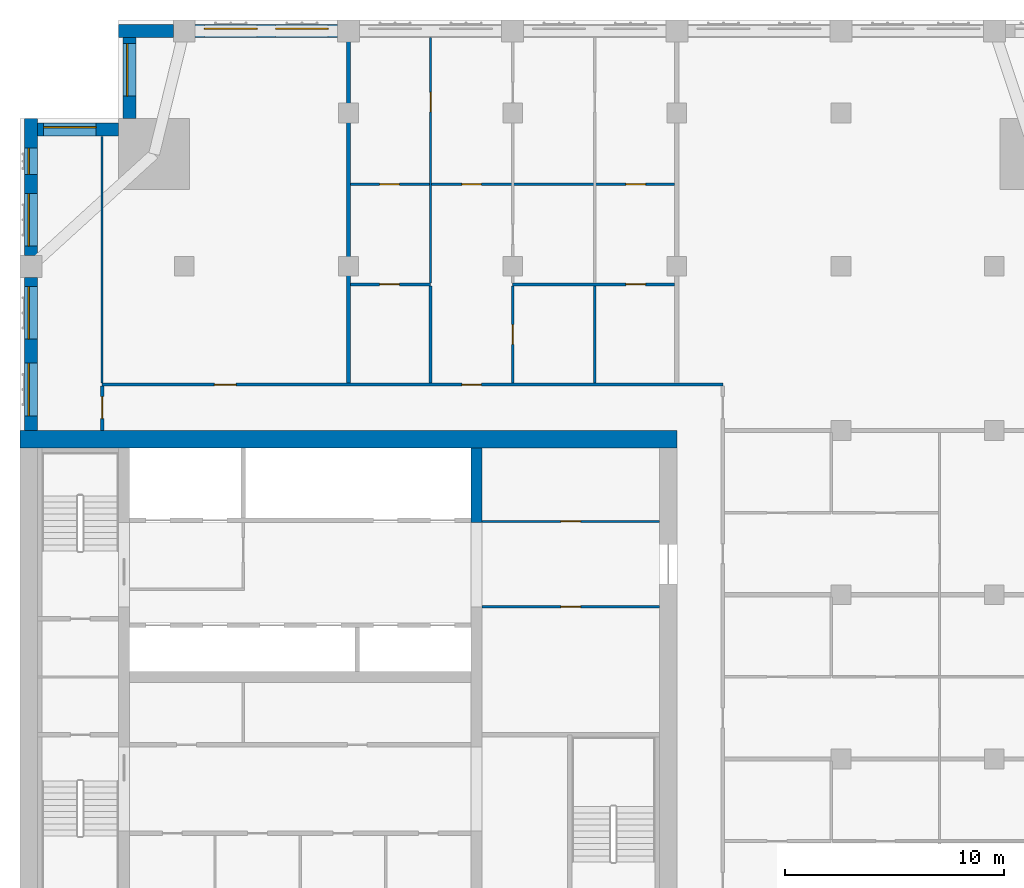
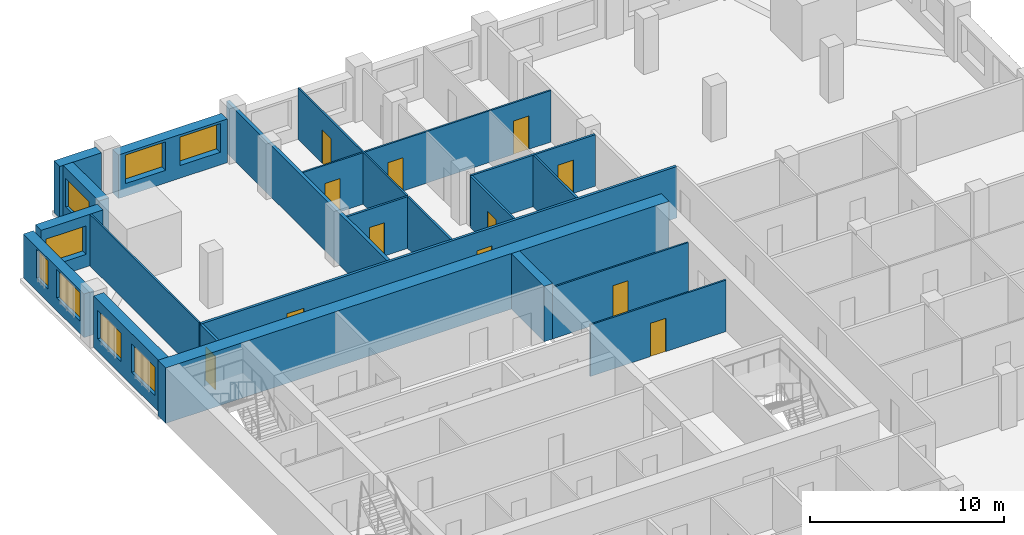
# One storey, part 10 of 14: 21 walls, 12 doors, 8 windows, 20 openings.
"""IFC4 building model written with IfcOpenShell, lengths in metres."""

from ifc_helpers import new_model, si_unit, direction, frame, frame_2d, origin, place, context, subcontext, project, spatial, rectangle, extrude, material, layer, layer_set, type_object, element, fill, save


model = new_model("IFC4")

# Units and contexts
model_context = context("Model", 3, precision=1e-05, world=origin(), true_north=direction((0.0, 1.0)))
body_context = subcontext(model_context, "Body", "Model", "MODEL_VIEW")
ifc_project = project(units=[si_unit("LENGTHUNIT", "METRE"), si_unit("AREAUNIT", "SQUARE_METRE"), si_unit("VOLUMEUNIT", "CUBIC_METRE"), si_unit("PLANEANGLEUNIT", "RADIAN"), si_unit("MASSUNIT", "GRAM", prefix="KILO")], contexts=[model_context])

# Site, building, storey
site_placement = place(None, origin())
site = spatial("IfcSite", under=ifc_project, at=site_placement, CompositionType="ELEMENT")
building_placement = place(site_placement, origin())
building = spatial("IfcBuilding", under=site, at=building_placement, Name="Tamorin Gate", CompositionType="ELEMENT")
storey_placement = place(building_placement, frame((0.0, 0.0, 200.199951171875)))
storey = spatial("IfcBuildingStorey", under=building, at=storey_placement, Name="L49", CompositionType="ELEMENT", Elevation=200.199951171875)

# Wall, openings, windows
ifc_material_1 = material(Name="Precast concrete C40/50", Category="concrete")
ifc_layer_1 = layer(ifc_material_1, 0.60009765625)
ifc_layer_set_1 = layer_set([ifc_layer_1], Name="Precast concrete C40/50")
wall_type_1 = type_object("IfcWallType", Name="Board-marked concrete facade panel 600", PredefinedType="SOLIDWALL", material=ifc_layer_set_1)
wall_1_placement = place(storey_placement, frame((44.5, 100.75, 0.0), z_axis=(0.0, 0.0, 1.0), x_axis=(-1.0, 0.0, 0.0)))
wall_1 = element("IfcWall", 1, at=wall_1_placement, inside=storey, type_object=wall_type_1, Name="Facade panel", PredefinedType="SOLIDWALL", context=body_context, shape_type="SweptSolid", body=[
    extrude(rectangle(XDim=6.5, YDim=0.60009765625, at=frame_2d((3.25, 0.0))), origin(), (0.0, 0.0, 1.0), 2.75),
])
opening_1_placement = place(wall_1_placement, frame((3.675048828125, 0.0, 0.800048828125)))
opening_1 = element("IfcOpeningElement", 2, at=opening_1_placement, cuts=wall_1, Name="Opening WN1", PredefinedType="OPENING", context=body_context, shape_type="SweptSolid", body=[
    extrude(rectangle(XDim=2.39990234375, YDim=1.800048828125, at=frame_2d((1.199951171875, 0.89990234375))), frame((0.0, 0.31005859375, 0.0), z_axis=(0.0, -1.0, 0.0), x_axis=(1.0, 0.0, 0.0)), (0.0, 0.0, 1.0), 0.6201171875),
])
opening_2_placement = place(wall_1_placement, frame((0.425048828125, 0.0, 0.800048828125)))
opening_2 = element("IfcOpeningElement", 3, at=opening_2_placement, cuts=wall_1, Name="Opening WN1", PredefinedType="OPENING", context=body_context, shape_type="SweptSolid", body=[
    extrude(rectangle(XDim=2.39990234375, YDim=1.800048828125, at=frame_2d((1.199951171875, 0.89990234375))), frame((0.0, 0.31005859375, 0.0), z_axis=(0.0, -1.0, 0.0), x_axis=(1.0, 0.0, 0.0)), (0.0, 0.0, 1.0), 0.6201171875),
])
ifc_material_2 = material(Name="Clear glass in aluminium frame", Category="aluminium")
window_type_1 = type_object("IfcWindowType", Name="Deep-set window 2400x1800", PartitioningType="SINGLE_PANEL", PredefinedType="WINDOW", material=ifc_material_2)
window_1_placement = place(opening_1_placement, origin())
window_1 = element("IfcWindow", 4, at=window_1_placement, inside=storey, type_object=window_type_1, Name="Deep-set window", OverallHeight=1.800048828125, OverallWidth=2.39990234375, PartitioningType="SINGLE_PANEL", PredefinedType="WINDOW", context=body_context, shape_type="SweptSolid", body=[
    extrude(rectangle(XDim=2.39990234375, YDim=1.800048828125, at=frame_2d((1.199951171875, 0.89990234375))), frame((0.0, -0.070068359375, 0.0), z_axis=(0.0, -1.0, 0.0), x_axis=(1.0, 0.0, 0.0)), (0.0, 0.0, 1.0), 0.06005859375),
])
fill(opening_1, window_1)
window_2_placement = place(opening_2_placement, origin())
window_2 = element("IfcWindow", 5, at=window_2_placement, inside=storey, type_object=window_type_1, Name="Deep-set window", OverallHeight=1.800048828125, OverallWidth=2.39990234375, PartitioningType="SINGLE_PANEL", PredefinedType="WINDOW", context=body_context, shape_type="SweptSolid", body=[
    extrude(rectangle(XDim=2.39990234375, YDim=1.800048828125, at=frame_2d((1.199951171875, 0.89990234375))), frame((0.0, -0.070068359375, 0.0), z_axis=(0.0, -1.0, 0.0), x_axis=(1.0, 0.0, 0.0)), (0.0, 0.0, 1.0), 0.06005859375),
])
fill(opening_2, window_2)

# Wall
wall_2_placement = place(storey_placement, frame((37.0, 100.75, 0.0), z_axis=(0.0, 0.0, 1.0), x_axis=(-1.0, 0.0, 0.0)))
element("IfcWall", 6, at=wall_2_placement, inside=storey, type_object=wall_type_1, Name="Facade panel", PredefinedType="SOLIDWALL", context=body_context, shape_type="SweptSolid", body=[
    extrude(rectangle(XDim=2.5, YDim=0.60009765625, at=frame_2d((1.25, 0.0))), origin(), (0.0, 0.0, 1.0), 3.25),
])

# Wall, opening, window
wall_3_placement = place(storey_placement, frame((35.0, 100.449951171875, 0.0), z_axis=(0.0, 0.0, 1.0), x_axis=(0.0, -1.0, 0.0)))
wall_3 = element("IfcWall", 7, at=wall_3_placement, inside=storey, type_object=wall_type_1, Name="Facade panel", PredefinedType="SOLIDWALL", context=body_context, shape_type="SweptSolid", body=[
    extrude(rectangle(XDim=3.699951171875, YDim=0.60009765625, at=frame_2d((1.85009765625, 0.0))), origin(), (0.0, 0.0, 1.0), 3.25),
])
opening_3_placement = place(wall_3_placement, frame((0.27490234375, 0.0, 0.800048828125)))
opening_3 = element("IfcOpeningElement", 8, at=opening_3_placement, cuts=wall_3, Name="Opening WN1", PredefinedType="OPENING", context=body_context, shape_type="SweptSolid", body=[
    extrude(rectangle(XDim=2.39990234375, YDim=1.800048828125, at=frame_2d((1.199951171875, 0.89990234375))), frame((0.0, 0.31005859375, 0.0), z_axis=(0.0, -1.0, 0.0), x_axis=(1.0, 0.0, 0.0)), (0.0, 0.0, 1.0), 0.6201171875),
])
window_3_placement = place(opening_3_placement, origin())
window_3 = element("IfcWindow", 9, at=window_3_placement, inside=storey, type_object=window_type_1, Name="Deep-set window", OverallHeight=1.800048828125, OverallWidth=2.39990234375, PartitioningType="SINGLE_PANEL", PredefinedType="WINDOW", context=body_context, shape_type="SweptSolid", body=[
    extrude(rectangle(XDim=2.39990234375, YDim=1.800048828125, at=frame_2d((1.199951171875, 0.89990234375))), frame((0.0, -0.070068359375, 0.0), z_axis=(0.0, -1.0, 0.0), x_axis=(1.0, 0.0, 0.0)), (0.0, 0.0, 1.0), 0.06005859375),
])
fill(opening_3, window_3)

wall_4_placement = place(storey_placement, frame((34.5, 96.25, 0.0), z_axis=(0.0, 0.0, 1.0), x_axis=(-1.0, 0.0, 0.0)))
wall_4 = element("IfcWall", 10, at=wall_4_placement, inside=storey, type_object=wall_type_1, Name="Facade panel", PredefinedType="SOLIDWALL", context=body_context, shape_type="SweptSolid", body=[
    extrude(rectangle(XDim=3.699951171875, YDim=0.60009765625, at=frame_2d((1.85009765625, 0.0))), origin(), (0.0, 0.0, 1.0), 3.25),
])
opening_4_placement = place(wall_4_placement, frame((1.02490234375, 0.0, 0.800048828125)))
opening_4 = element("IfcOpeningElement", 11, at=opening_4_placement, cuts=wall_4, Name="Opening WN1", PredefinedType="OPENING", context=body_context, shape_type="SweptSolid", body=[
    extrude(rectangle(XDim=2.39990234375, YDim=1.800048828125, at=frame_2d((1.199951171875, 0.89990234375))), frame((0.0, 0.31005859375, 0.0), z_axis=(0.0, -1.0, 0.0), x_axis=(1.0, 0.0, 0.0)), (0.0, 0.0, 1.0), 0.6201171875),
])
window_4_placement = place(opening_4_placement, origin())
window_4 = element("IfcWindow", 12, at=window_4_placement, inside=storey, type_object=window_type_1, Name="Deep-set window", OverallHeight=1.800048828125, OverallWidth=2.39990234375, PartitioningType="SINGLE_PANEL", PredefinedType="WINDOW", context=body_context, shape_type="SweptSolid", body=[
    extrude(rectangle(XDim=2.39990234375, YDim=1.800048828125, at=frame_2d((1.199951171875, 0.89990234375))), frame((0.0, -0.070068359375, 0.0), z_axis=(0.0, -1.0, 0.0), x_axis=(1.0, 0.0, 0.0)), (0.0, 0.0, 1.0), 0.06005859375),
])
fill(opening_4, window_4)

# Wall, openings, windows
wall_5_placement = place(storey_placement, frame((30.5, 96.75, 0.0), z_axis=(0.0, 0.0, 1.0), x_axis=(0.0, -1.0, 0.0)))
wall_5 = element("IfcWall", 13, at=wall_5_placement, inside=storey, type_object=wall_type_1, Name="Facade panel", PredefinedType="SOLIDWALL", context=body_context, shape_type="SweptSolid", body=[
    extrude(rectangle(XDim=6.25, YDim=0.60009765625, at=frame_2d((3.125, 0.0))), origin(), (0.0, 0.0, 1.0), 2.75),
])
opening_5_placement = place(wall_5_placement, frame((3.425048828125, 0.0, 0.800048828125)))
opening_5 = element("IfcOpeningElement", 14, at=opening_5_placement, cuts=wall_5, Name="Opening WN1", PredefinedType="OPENING", context=body_context, shape_type="SweptSolid", body=[
    extrude(rectangle(XDim=2.39990234375, YDim=1.800048828125, at=frame_2d((1.199951171875, 0.89990234375))), frame((0.0, 0.31005859375, 0.0), z_axis=(0.0, -1.0, 0.0), x_axis=(1.0, 0.0, 0.0)), (0.0, 0.0, 1.0), 0.6201171875),
])
opening_6_placement = place(wall_5_placement, frame((1.35009765625, 0.0, 0.800048828125)))
opening_6 = element("IfcOpeningElement", 15, at=opening_6_placement, cuts=wall_5, Name="Opening WN3", PredefinedType="OPENING", context=body_context, shape_type="SweptSolid", body=[
    extrude(rectangle(XDim=1.199951171875, YDim=1.800048828125, at=frame_2d((0.60009765625, 0.89990234375))), frame((0.0, 0.31005859375, 0.0), z_axis=(0.0, -1.0, 0.0), x_axis=(1.0, 0.0, 0.0)), (0.0, 0.0, 1.0), 0.6201171875),
])
window_type_2 = type_object("IfcWindowType", Name="Deep-set window 1200x1800", PartitioningType="SINGLE_PANEL", PredefinedType="WINDOW", material=ifc_material_2)
window_5_placement = place(opening_6_placement, origin())
window_5 = element("IfcWindow", 16, at=window_5_placement, inside=storey, type_object=window_type_2, Name="Deep-set window", OverallHeight=1.800048828125, OverallWidth=1.199951171875, PartitioningType="SINGLE_PANEL", PredefinedType="WINDOW", context=body_context, shape_type="SweptSolid", body=[
    extrude(rectangle(XDim=1.199951171875, YDim=1.800048828125, at=frame_2d((0.60009765625, 0.89990234375))), frame((0.0, -0.070068359375, 0.0), z_axis=(0.0, -1.0, 0.0), x_axis=(1.0, 0.0, 0.0)), (0.0, 0.0, 1.0), 0.06005859375),
])
fill(opening_6, window_5)
window_6_placement = place(opening_5_placement, origin())
window_6 = element("IfcWindow", 17, at=window_6_placement, inside=storey, type_object=window_type_1, Name="Deep-set window", OverallHeight=1.800048828125, OverallWidth=2.39990234375, PartitioningType="SINGLE_PANEL", PredefinedType="WINDOW", context=body_context, shape_type="SweptSolid", body=[
    extrude(rectangle(XDim=2.39990234375, YDim=1.800048828125, at=frame_2d((1.199951171875, 0.89990234375))), frame((0.0, -0.070068359375, 0.0), z_axis=(0.0, -1.0, 0.0), x_axis=(1.0, 0.0, 0.0)), (0.0, 0.0, 1.0), 0.06005859375),
])
fill(opening_5, window_6)

wall_6_placement = place(storey_placement, frame((30.5, 89.5, 0.0), z_axis=(0.0, 0.0, 1.0), x_axis=(0.0, -1.0, 0.0)))
wall_6 = element("IfcWall", 18, at=wall_6_placement, inside=storey, type_object=wall_type_1, Name="Facade panel", PredefinedType="SOLIDWALL", context=body_context, shape_type="SweptSolid", body=[
    extrude(rectangle(XDim=7.0, YDim=0.60009765625, at=frame_2d((3.5, 0.0))), origin(), (0.0, 0.0, 1.0), 3.25),
])
opening_7_placement = place(wall_6_placement, frame((3.925048828125, 0.0, 0.800048828125)))
opening_7 = element("IfcOpeningElement", 19, at=opening_7_placement, cuts=wall_6, Name="Opening WN1", PredefinedType="OPENING", context=body_context, shape_type="SweptSolid", body=[
    extrude(rectangle(XDim=2.39990234375, YDim=1.800048828125, at=frame_2d((1.199951171875, 0.89990234375))), frame((0.0, 0.31005859375, 0.0), z_axis=(0.0, -1.0, 0.0), x_axis=(1.0, 0.0, 0.0)), (0.0, 0.0, 1.0), 0.6201171875),
])
opening_8_placement = place(wall_6_placement, frame((0.425048828125, 0.0, 0.800048828125)))
opening_8 = element("IfcOpeningElement", 20, at=opening_8_placement, cuts=wall_6, Name="Opening WN1", PredefinedType="OPENING", context=body_context, shape_type="SweptSolid", body=[
    extrude(rectangle(XDim=2.39990234375, YDim=1.800048828125, at=frame_2d((1.199951171875, 0.89990234375))), frame((0.0, 0.31005859375, 0.0), z_axis=(0.0, -1.0, 0.0), x_axis=(1.0, 0.0, 0.0)), (0.0, 0.0, 1.0), 0.6201171875),
])
window_7_placement = place(opening_7_placement, origin())
window_7 = element("IfcWindow", 21, at=window_7_placement, inside=storey, type_object=window_type_1, Name="Deep-set window", OverallHeight=1.800048828125, OverallWidth=2.39990234375, PartitioningType="SINGLE_PANEL", PredefinedType="WINDOW", context=body_context, shape_type="SweptSolid", body=[
    extrude(rectangle(XDim=2.39990234375, YDim=1.800048828125, at=frame_2d((1.199951171875, 0.89990234375))), frame((0.0, -0.070068359375, 0.0), z_axis=(0.0, -1.0, 0.0), x_axis=(1.0, 0.0, 0.0)), (0.0, 0.0, 1.0), 0.06005859375),
])
fill(opening_7, window_7)
window_8_placement = place(opening_8_placement, origin())
window_8 = element("IfcWindow", 22, at=window_8_placement, inside=storey, type_object=window_type_1, Name="Deep-set window", OverallHeight=1.800048828125, OverallWidth=2.39990234375, PartitioningType="SINGLE_PANEL", PredefinedType="WINDOW", context=body_context, shape_type="SweptSolid", body=[
    extrude(rectangle(XDim=2.39990234375, YDim=1.800048828125, at=frame_2d((1.199951171875, 0.89990234375))), frame((0.0, -0.070068359375, 0.0), z_axis=(0.0, -1.0, 0.0), x_axis=(1.0, 0.0, 0.0)), (0.0, 0.0, 1.0), 0.06005859375),
])
fill(opening_8, window_8)

# Wall, openings, doors
ifc_material_3 = material(Name="Gypsum board partition")
ifc_layer_2 = layer(ifc_material_3, 0.14990234375)
ifc_layer_set_2 = layer_set([ifc_layer_2], Name="Corridor wall 150")
wall_type_2 = type_object("IfcWallType", Name="Corridor wall 150", PredefinedType="PARTITIONING", material=ifc_layer_set_2)
wall_7_placement = place(storey_placement, frame((33.75, 84.60009765625, 0.0), z_axis=(0.0, 0.0, 1.0), x_axis=(1.0, 0.0, 0.0)))
wall_7 = element("IfcWall", 23, at=wall_7_placement, inside=storey, type_object=wall_type_2, Name="Corridor wall 150", PredefinedType="PARTITIONING", context=body_context, shape_type="SweptSolid", body=[
    extrude(rectangle(XDim=28.35009765625, YDim=0.14990234375, at=frame_2d((14.175048828125, 0.0))), origin(), (0.0, 0.0, 1.0), 3.25),
])
opening_9_placement = place(wall_7_placement, frame((5.125, 0.0, 0.0)))
opening_9 = element("IfcOpeningElement", 24, at=opening_9_placement, cuts=wall_7, Name="Opening DR3021", PredefinedType="OPENING", context=body_context, shape_type="SweptSolid", body=[
    extrude(rectangle(XDim=1.0, YDim=2.10009765625, at=frame_2d((0.5, 1.050048828125))), frame((0.0, 0.0849609375, 0.0), z_axis=(0.0, -1.0, 0.0), x_axis=(1.0, 0.0, 0.0)), (0.0, 0.0, 1.0), 0.169921875),
])
opening_10_placement = place(wall_7_placement, frame((16.425048828125, 0.0, 0.0)))
opening_10 = element("IfcOpeningElement", 25, at=opening_10_placement, cuts=wall_7, Name="Opening DR3024", PredefinedType="OPENING", context=body_context, shape_type="SweptSolid", body=[
    extrude(rectangle(XDim=0.89990234375, YDim=2.10009765625, at=frame_2d((0.449951171875, 1.050048828125))), frame((0.0, 0.0849609375, 0.0), z_axis=(0.0, -1.0, 0.0), x_axis=(1.0, 0.0, 0.0)), (0.0, 0.0, 1.0), 0.169921875),
])
ifc_material_4 = material(Name="Timber door leaf", Category="wood")
door_type_1 = type_object("IfcDoorType", Name="Door 1000 x 2100 FD30S", OperationType="NOTDEFINED", PredefinedType="DOOR", material=ifc_material_4)
door_1_placement = place(opening_9_placement, origin())
door_1 = element("IfcDoor", 26, at=door_1_placement, inside=storey, type_object=door_type_1, Name="Door DR3021", OperationType="SINGLE_SWING_LEFT", OverallHeight=2.10009765625, OverallWidth=1.0, PredefinedType="DOOR", context=body_context, shape_type="SweptSolid", body=[
    extrude(rectangle(XDim=1.0, YDim=2.10009765625, at=frame_2d((0.5, 1.050048828125))), frame((0.0, 0.02490234375, 0.0), z_axis=(0.0, -1.0, 0.0), x_axis=(1.0, 0.0, 0.0)), (0.0, 0.0, 1.0), 0.050048828125),
])
fill(opening_9, door_1)
door_type_2 = type_object("IfcDoorType", Name="Door 900 x 2100 FD30S", OperationType="NOTDEFINED", PredefinedType="DOOR", material=ifc_material_4)
door_2_placement = place(opening_10_placement, origin())
door_2 = element("IfcDoor", 27, at=door_2_placement, inside=storey, type_object=door_type_2, Name="Door DR3024", OperationType="SINGLE_SWING_LEFT", OverallHeight=2.10009765625, OverallWidth=0.89990234375, PredefinedType="DOOR", context=body_context, shape_type="SweptSolid", body=[
    extrude(rectangle(XDim=0.89990234375, YDim=2.10009765625, at=frame_2d((0.449951171875, 1.050048828125))), frame((0.0, 0.02490234375, 0.0), z_axis=(0.0, -1.0, 0.0), x_axis=(1.0, 0.0, 0.0)), (0.0, 0.0, 1.0), 0.050048828125),
])
fill(opening_10, door_2)

# Wall, opening, door
wall_8_placement = place(storey_placement, frame((33.75, 82.5, 0.0), z_axis=(0.0, 0.0, 1.0), x_axis=(0.0, 1.0, 0.0)))
wall_8 = element("IfcWall", 28, at=wall_8_placement, inside=storey, type_object=wall_type_2, Name="Corridor wall 150", PredefinedType="PARTITIONING", context=body_context, shape_type="SweptSolid", body=[
    extrude(rectangle(XDim=2.02490234375, YDim=0.14990234375, at=frame_2d((1.012451171875, 0.0))), origin(), (0.0, 0.0, 1.0), 3.25),
])
opening_11_placement = place(wall_8_placement, frame((0.550048828125, 0.0, 0.0)))
opening_11 = element("IfcOpeningElement", 29, at=opening_11_placement, cuts=wall_8, Name="Opening DR3020", PredefinedType="OPENING", context=body_context, shape_type="SweptSolid", body=[
    extrude(rectangle(XDim=1.0, YDim=2.10009765625, at=frame_2d((0.5, 1.050048828125))), frame((0.0, 0.0849609375, 0.0), z_axis=(0.0, -1.0, 0.0), x_axis=(1.0, 0.0, 0.0)), (0.0, 0.0, 1.0), 0.169921875),
])
door_3_placement = place(opening_11_placement, origin())
door_3 = element("IfcDoor", 30, at=door_3_placement, inside=storey, type_object=door_type_1, Name="Door DR3020", OperationType="SINGLE_SWING_LEFT", OverallHeight=2.10009765625, OverallWidth=1.0, PredefinedType="DOOR", context=body_context, shape_type="SweptSolid", body=[
    extrude(rectangle(XDim=1.0, YDim=2.10009765625, at=frame_2d((0.5, 1.050048828125))), frame((0.0, 0.02490234375, 0.0), z_axis=(0.0, -1.0, 0.0), x_axis=(1.0, 0.0, 0.0)), (0.0, 0.0, 1.0), 0.050048828125),
])
fill(opening_11, door_3)

# Walls
ifc_layer_3 = layer(ifc_material_3, 0.199951171875)
ifc_layer_set_3 = layer_set([ifc_layer_3], Name="Demising wall 200")
wall_type_3 = type_object("IfcWallType", Name="Demising wall 200", PredefinedType="PARTITIONING", material=ifc_layer_set_3)
wall_9_placement = place(storey_placement, frame((45.0, 84.675048828125, 0.0), z_axis=(0.0, 0.0, 1.0), x_axis=(0.0, 1.0, 0.0)))
element("IfcWall", 31, at=wall_9_placement, inside=storey, type_object=wall_type_3, Name="Demising wall 200", PredefinedType="PARTITIONING", context=body_context, shape_type="SweptSolid", body=[
    extrude(rectangle(XDim=16.574951171875, YDim=0.199951171875, at=frame_2d((8.28759765625, 0.0))), origin(), (0.0, 0.0, 1.0), 3.25),
])
ifc_material_5 = material(Name="Concrete C60/75", Category="concrete")
ifc_layer_4 = layer(ifc_material_5, 0.5)
ifc_layer_set_4 = layer_set([ifc_layer_4], Name="RC core internal wall 500 C60/75")
wall_type_4 = type_object("IfcWallType", Name="RC core internal wall 500 C60/75", PredefinedType="SHEAR", material=ifc_layer_set_4)
wall_10_placement = place(storey_placement, frame((50.85009765625, 78.300048828125, 0.0), z_axis=(0.0, 0.0, 1.0), x_axis=(0.0, 1.0, 0.0)))
element("IfcWall", 32, at=wall_10_placement, inside=storey, type_object=wall_type_4, Name="Core cross wall L49", PredefinedType="SHEAR", context=body_context, shape_type="SweptSolid", body=[
    extrude(rectangle(XDim=3.39990234375, YDim=0.5, at=frame_2d((1.699951171875, 0.0))), origin(), (0.0, 0.0, 1.0), 3.5),
])
ifc_layer_5 = layer(ifc_material_5, 0.800048828125)
ifc_layer_set_5 = layer_set([ifc_layer_5], Name="RC core wall 800 C60/75")
wall_type_5 = type_object("IfcWallType", Name="RC core wall 800 C60/75", PredefinedType="SHEAR", material=ifc_layer_set_5)
wall_11_placement = place(storey_placement, frame((30.0, 82.10009765625, 0.0), z_axis=(0.0, 0.0, 1.0), x_axis=(1.0, 0.0, 0.0)))
element("IfcWall", 33, at=wall_11_placement, inside=storey, type_object=wall_type_5, Name="Core wall L49", PredefinedType="SHEAR", context=body_context, shape_type="SweptSolid", body=[
    extrude(rectangle(XDim=30.0, YDim=0.800048828125, at=frame_2d((15.0, 0.0))), origin(), (0.0, 0.0, 1.0), 3.5),
])

# Wall, openings, doors
ifc_layer_6 = layer(ifc_material_3, 0.10009765625)
ifc_layer_set_6 = layer_set([ifc_layer_6], Name="Room partition 100")
wall_type_6 = type_object("IfcWallType", Name="Room partition 100", PredefinedType="PARTITIONING", material=ifc_layer_set_6)
wall_12_placement = place(storey_placement, frame((45.10009765625, 93.75, 0.0), z_axis=(0.0, 0.0, 1.0), x_axis=(1.0, 0.0, 0.0)))
wall_12 = element("IfcWall", 34, at=wall_12_placement, inside=storey, type_object=wall_type_6, Name="Room partition 100", PredefinedType="PARTITIONING", context=body_context, shape_type="SweptSolid", body=[
    extrude(rectangle(XDim=14.7998046875, YDim=0.10009765625, at=frame_2d((7.39990234375, 0.0))), origin(), (0.0, 0.0, 1.0), 3.25),
])
opening_12_placement = place(wall_12_placement, frame((1.324951171875, 0.0, 0.0)))
opening_12 = element("IfcOpeningElement", 35, at=opening_12_placement, cuts=wall_12, Name="Opening DR3022", PredefinedType="OPENING", context=body_context, shape_type="SweptSolid", body=[
    extrude(rectangle(XDim=0.89990234375, YDim=2.10009765625, at=frame_2d((0.449951171875, 1.050048828125))), frame((0.0, 0.06005859375, 0.0), z_axis=(0.0, -1.0, 0.0), x_axis=(1.0, 0.0, 0.0)), (0.0, 0.0, 1.0), 0.1201171875),
])
opening_13_placement = place(wall_12_placement, frame((5.074951171875, 0.0, 0.0)))
opening_13 = element("IfcOpeningElement", 36, at=opening_13_placement, cuts=wall_12, Name="Opening DR3025", PredefinedType="OPENING", context=body_context, shape_type="SweptSolid", body=[
    extrude(rectangle(XDim=0.89990234375, YDim=2.10009765625, at=frame_2d((0.449951171875, 1.050048828125))), frame((0.0, 0.06005859375, 0.0), z_axis=(0.0, -1.0, 0.0), x_axis=(1.0, 0.0, 0.0)), (0.0, 0.0, 1.0), 0.1201171875),
])
opening_14_placement = place(wall_12_placement, frame((12.574951171875, 0.0, 0.0)))
opening_14 = element("IfcOpeningElement", 37, at=opening_14_placement, cuts=wall_12, Name="Opening DR3028", PredefinedType="OPENING", context=body_context, shape_type="SweptSolid", body=[
    extrude(rectangle(XDim=0.89990234375, YDim=2.10009765625, at=frame_2d((0.449951171875, 1.050048828125))), frame((0.0, 0.06005859375, 0.0), z_axis=(0.0, -1.0, 0.0), x_axis=(1.0, 0.0, 0.0)), (0.0, 0.0, 1.0), 0.1201171875),
])
door_type_3 = type_object("IfcDoorType", Name="Door 900 x 2100", OperationType="NOTDEFINED", PredefinedType="DOOR", material=ifc_material_4)
door_4_placement = place(opening_12_placement, origin())
door_4 = element("IfcDoor", 38, at=door_4_placement, inside=storey, type_object=door_type_3, Name="Door DR3022", OperationType="SINGLE_SWING_RIGHT", OverallHeight=2.10009765625, OverallWidth=0.89990234375, PredefinedType="DOOR", context=body_context, shape_type="SweptSolid", body=[
    extrude(rectangle(XDim=0.89990234375, YDim=2.10009765625, at=frame_2d((0.449951171875, 1.050048828125))), frame((0.0, 0.02490234375, 0.0), z_axis=(0.0, -1.0, 0.0), x_axis=(1.0, 0.0, 0.0)), (0.0, 0.0, 1.0), 0.050048828125),
])
fill(opening_12, door_4)
door_5_placement = place(opening_13_placement, origin())
door_5 = element("IfcDoor", 39, at=door_5_placement, inside=storey, type_object=door_type_3, Name="Door DR3025", OperationType="SINGLE_SWING_RIGHT", OverallHeight=2.10009765625, OverallWidth=0.89990234375, PredefinedType="DOOR", context=body_context, shape_type="SweptSolid", body=[
    extrude(rectangle(XDim=0.89990234375, YDim=2.10009765625, at=frame_2d((0.449951171875, 1.050048828125))), frame((0.0, 0.02490234375, 0.0), z_axis=(0.0, -1.0, 0.0), x_axis=(1.0, 0.0, 0.0)), (0.0, 0.0, 1.0), 0.050048828125),
])
fill(opening_13, door_5)
door_6_placement = place(opening_14_placement, origin())
door_6 = element("IfcDoor", 40, at=door_6_placement, inside=storey, type_object=door_type_3, Name="Door DR3028", OperationType="SINGLE_SWING_RIGHT", OverallHeight=2.10009765625, OverallWidth=0.89990234375, PredefinedType="DOOR", context=body_context, shape_type="SweptSolid", body=[
    extrude(rectangle(XDim=0.89990234375, YDim=2.10009765625, at=frame_2d((0.449951171875, 1.050048828125))), frame((0.0, 0.02490234375, 0.0), z_axis=(0.0, -1.0, 0.0), x_axis=(1.0, 0.0, 0.0)), (0.0, 0.0, 1.0), 0.050048828125),
])
fill(opening_14, door_6)

# Wall
wall_13_placement = place(storey_placement, frame((33.75, 84.675048828125, 0.0), z_axis=(0.0, 0.0, 1.0), x_axis=(0.0, 1.0, 0.0)))
element("IfcWall", 41, at=wall_13_placement, inside=storey, type_object=wall_type_6, Name="Room partition 100", PredefinedType="PARTITIONING", context=body_context, shape_type="SweptSolid", body=[
    extrude(rectangle(XDim=11.264892578125, YDim=0.10009765625, at=frame_2d((5.63232421875, 0.0))), origin(), (0.0, 0.0, 1.0), 3.25),
])

# Wall, opening, door
wall_14_placement = place(storey_placement, frame((48.75, 89.237548828125, 0.0), z_axis=(0.0, 0.0, 1.0), x_axis=(0.0, 1.0, 0.0)))
wall_14 = element("IfcWall", 42, at=wall_14_placement, inside=storey, type_object=wall_type_6, Name="Room partition 100", PredefinedType="PARTITIONING", context=body_context, shape_type="SweptSolid", body=[
    extrude(rectangle(XDim=11.202392578125, YDim=0.10009765625, at=frame_2d((5.60107421875, 0.0))), origin(), (0.0, 0.0, 1.0), 3.25),
])
opening_15_placement = place(wall_14_placement, frame((7.8125, 0.0, 0.0)))
opening_15 = element("IfcOpeningElement", 43, at=opening_15_placement, cuts=wall_14, Name="Opening DR3030", PredefinedType="OPENING", context=body_context, shape_type="SweptSolid", body=[
    extrude(rectangle(XDim=0.89990234375, YDim=2.10009765625, at=frame_2d((0.449951171875, 1.050048828125))), frame((0.0, 0.06005859375, 0.0), z_axis=(0.0, -1.0, 0.0), x_axis=(1.0, 0.0, 0.0)), (0.0, 0.0, 1.0), 0.1201171875),
])
door_7_placement = place(opening_15_placement, origin())
door_7 = element("IfcDoor", 44, at=door_7_placement, inside=storey, type_object=door_type_3, Name="Door DR3030", OperationType="SINGLE_SWING_LEFT", OverallHeight=2.10009765625, OverallWidth=0.89990234375, PredefinedType="DOOR", context=body_context, shape_type="SweptSolid", body=[
    extrude(rectangle(XDim=0.89990234375, YDim=2.10009765625, at=frame_2d((0.449951171875, 1.050048828125))), frame((0.0, 0.02490234375, 0.0), z_axis=(0.0, -1.0, 0.0), x_axis=(1.0, 0.0, 0.0)), (0.0, 0.0, 1.0), 0.050048828125),
])
fill(opening_15, door_7)

ifc_layer_7 = layer(ifc_material_3, 0.10009765625)
ifc_layer_set_7 = layer_set([ifc_layer_7], Name="Service room partition 100 EI 60")
wall_type_7 = type_object("IfcWallType", Name="Service room partition 100 EI 60", PredefinedType="PARTITIONING", material=ifc_layer_set_7)
wall_15_placement = place(storey_placement, frame((51.10009765625, 74.449951171875, 0.0), z_axis=(0.0, 0.0, 1.0), x_axis=(1.0, 0.0, 0.0)))
wall_15 = element("IfcWall", 45, at=wall_15_placement, inside=storey, type_object=wall_type_7, Name="Service room wall", PredefinedType="PARTITIONING", context=body_context, shape_type="SweptSolid", body=[
    extrude(rectangle(XDim=8.099853515625, YDim=0.10009765625, at=frame_2d((4.0498046875, 0.0))), origin(), (0.0, 0.0, 1.0), 3.25),
])
opening_16_placement = place(wall_15_placement, frame((3.60009765625, 0.0, 0.0)))
opening_16 = element("IfcOpeningElement", 46, at=opening_16_placement, cuts=wall_15, Name="Opening DR1", PredefinedType="OPENING", context=body_context, shape_type="SweptSolid", body=[
    extrude(rectangle(XDim=0.89990234375, YDim=2.10009765625, at=frame_2d((0.449951171875, 1.050048828125))), frame((0.0, 0.06005859375, 0.0), z_axis=(0.0, -1.0, 0.0), x_axis=(1.0, 0.0, 0.0)), (0.0, 0.0, 1.0), 0.1201171875),
])
ifc_material_6 = material(Name="Steel fire door", Category="steel")
door_type_4 = type_object("IfcDoorType", Name="Riser access door 900 x 2100 EI 120", OperationType="SINGLE_SWING_LEFT", PredefinedType="DOOR", material=ifc_material_6)
door_8_placement = place(opening_16_placement, origin())
door_8 = element("IfcDoor", 47, at=door_8_placement, inside=storey, type_object=door_type_4, Name="Duct riser door", OperationType="SINGLE_SWING_LEFT", OverallHeight=2.10009765625, OverallWidth=0.89990234375, PredefinedType="DOOR", context=body_context, shape_type="SweptSolid", body=[
    extrude(rectangle(XDim=0.89990234375, YDim=2.10009765625, at=frame_2d((0.449951171875, 1.050048828125))), frame((0.0, 0.02490234375, 0.0), z_axis=(0.0, -1.0, 0.0), x_axis=(1.0, 0.0, 0.0)), (0.0, 0.0, 1.0), 0.050048828125),
])
fill(opening_16, door_8)

wall_16_placement = place(storey_placement, frame((51.10009765625, 78.35009765625, 0.0), z_axis=(0.0, 0.0, 1.0), x_axis=(1.0, 0.0, 0.0)))
wall_16 = element("IfcWall", 48, at=wall_16_placement, inside=storey, type_object=wall_type_7, Name="Service room wall", PredefinedType="PARTITIONING", context=body_context, shape_type="SweptSolid", body=[
    extrude(rectangle(XDim=8.099853515625, YDim=0.10009765625, at=frame_2d((4.0498046875, 0.0))), origin(), (0.0, 0.0, 1.0), 3.25),
])
opening_17_placement = place(wall_16_placement, frame((3.60009765625, 0.0, 0.0)))
opening_17 = element("IfcOpeningElement", 49, at=opening_17_placement, cuts=wall_16, Name="Opening DK1", PredefinedType="OPENING", context=body_context, shape_type="SweptSolid", body=[
    extrude(rectangle(XDim=0.89990234375, YDim=2.10009765625, at=frame_2d((0.449951171875, 1.050048828125))), frame((0.0, 0.06005859375, 0.0), z_axis=(0.0, -1.0, 0.0), x_axis=(1.0, 0.0, 0.0)), (0.0, 0.0, 1.0), 0.1201171875),
])
ifc_material_7 = material(Name="Timber fire door", Category="wood")
door_type_5 = type_object("IfcDoorType", Name="Service room door 900 x 2100 EI 60", OperationType="SINGLE_SWING_LEFT", PredefinedType="DOOR", material=ifc_material_7)
door_9_placement = place(opening_17_placement, origin())
door_9 = element("IfcDoor", 50, at=door_9_placement, inside=storey, type_object=door_type_5, Name="Door Housekeeping office", OperationType="SINGLE_SWING_LEFT", OverallHeight=2.10009765625, OverallWidth=0.89990234375, PredefinedType="DOOR", context=body_context, shape_type="SweptSolid", body=[
    extrude(rectangle(XDim=0.89990234375, YDim=2.10009765625, at=frame_2d((0.449951171875, 1.050048828125))), frame((0.0, 0.02490234375, 0.0), z_axis=(0.0, -1.0, 0.0), x_axis=(1.0, 0.0, 0.0)), (0.0, 0.0, 1.0), 0.050048828125),
])
fill(opening_17, door_9)

ifc_layer_8 = layer(ifc_material_3, 0.125)
ifc_layer_set_8 = layer_set([ifc_layer_8], Name="Wet wall 125")
wall_type_8 = type_object("IfcWallType", Name="Wet wall 125", PredefinedType="PARTITIONING", material=ifc_layer_set_8)
wall_17_placement = place(storey_placement, frame((45.10009765625, 89.175048828125, 0.0), z_axis=(0.0, 0.0, 1.0), x_axis=(1.0, 0.0, 0.0)))
wall_17 = element("IfcWall", 51, at=wall_17_placement, inside=storey, type_object=wall_type_8, Name="Wet wall 125", PredefinedType="PARTITIONING", context=body_context, shape_type="SweptSolid", body=[
    extrude(rectangle(XDim=3.64990234375, YDim=0.125, at=frame_2d((1.824951171875, 0.0))), origin(), (0.0, 0.0, 1.0), 3.25),
])
opening_18_placement = place(wall_17_placement, frame((1.324951171875, 0.0, 0.0)))
opening_18 = element("IfcOpeningElement", 52, at=opening_18_placement, cuts=wall_17, Name="Opening DR3023", PredefinedType="OPENING", context=body_context, shape_type="SweptSolid", body=[
    extrude(rectangle(XDim=0.89990234375, YDim=2.10009765625, at=frame_2d((0.449951171875, 1.050048828125))), frame((0.0, 0.072509765625, 0.0), z_axis=(0.0, -1.0, 0.0), x_axis=(1.0, 0.0, 0.0)), (0.0, 0.0, 1.0), 0.14501953125),
])
door_10_placement = place(opening_18_placement, origin())
door_10 = element("IfcDoor", 53, at=door_10_placement, inside=storey, type_object=door_type_3, Name="Door DR3023", OperationType="SINGLE_SWING_RIGHT", OverallHeight=2.10009765625, OverallWidth=0.89990234375, PredefinedType="DOOR", context=body_context, shape_type="SweptSolid", body=[
    extrude(rectangle(XDim=0.89990234375, YDim=2.10009765625, at=frame_2d((0.449951171875, 1.050048828125))), frame((0.0, 0.02490234375, 0.0), z_axis=(0.0, -1.0, 0.0), x_axis=(1.0, 0.0, 0.0)), (0.0, 0.0, 1.0), 0.050048828125),
])
fill(opening_18, door_10)

wall_18_placement = place(storey_placement, frame((52.5, 89.175048828125, 0.0), z_axis=(0.0, 0.0, 1.0), x_axis=(1.0, 0.0, 0.0)))
wall_18 = element("IfcWall", 54, at=wall_18_placement, inside=storey, type_object=wall_type_8, Name="Wet wall 125", PredefinedType="PARTITIONING", context=body_context, shape_type="SweptSolid", body=[
    extrude(rectangle(XDim=7.39990234375, YDim=0.125, at=frame_2d((3.699951171875, 0.0))), origin(), (0.0, 0.0, 1.0), 3.25),
])
opening_19_placement = place(wall_18_placement, frame((5.175048828125, 0.0, 0.0)))
opening_19 = element("IfcOpeningElement", 55, at=opening_19_placement, cuts=wall_18, Name="Opening DR3029", PredefinedType="OPENING", context=body_context, shape_type="SweptSolid", body=[
    extrude(rectangle(XDim=0.89990234375, YDim=2.10009765625, at=frame_2d((0.449951171875, 1.050048828125))), frame((0.0, 0.072509765625, 0.0), z_axis=(0.0, -1.0, 0.0), x_axis=(1.0, 0.0, 0.0)), (0.0, 0.0, 1.0), 0.14501953125),
])
door_11_placement = place(opening_19_placement, origin())
door_11 = element("IfcDoor", 56, at=door_11_placement, inside=storey, type_object=door_type_3, Name="Door DR3029", OperationType="SINGLE_SWING_RIGHT", OverallHeight=2.10009765625, OverallWidth=0.89990234375, PredefinedType="DOOR", context=body_context, shape_type="SweptSolid", body=[
    extrude(rectangle(XDim=0.89990234375, YDim=2.10009765625, at=frame_2d((0.449951171875, 1.050048828125))), frame((0.0, 0.02490234375, 0.0), z_axis=(0.0, -1.0, 0.0), x_axis=(1.0, 0.0, 0.0)), (0.0, 0.0, 1.0), 0.050048828125),
])
fill(opening_19, door_11)

# Wall
wall_19_placement = place(storey_placement, frame((48.75, 84.675048828125, 0.0), z_axis=(0.0, 0.0, 1.0), x_axis=(0.0, 1.0, 0.0)))
element("IfcWall", 57, at=wall_19_placement, inside=storey, type_object=wall_type_8, Name="Wet wall 125", PredefinedType="PARTITIONING", context=body_context, shape_type="SweptSolid", body=[
    extrude(rectangle(XDim=4.4375, YDim=0.125, at=frame_2d((2.21875, 0.0))), origin(), (0.0, 0.0, 1.0), 3.25),
])

# Wall, opening, door
wall_20_placement = place(storey_placement, frame((52.5, 84.675048828125, 0.0), z_axis=(0.0, 0.0, 1.0), x_axis=(0.0, 1.0, 0.0)))
wall_20 = element("IfcWall", 58, at=wall_20_placement, inside=storey, type_object=wall_type_8, Name="Wet wall 125", PredefinedType="PARTITIONING", context=body_context, shape_type="SweptSolid", body=[
    extrude(rectangle(XDim=4.4375, YDim=0.125, at=frame_2d((2.21875, 0.0))), origin(), (0.0, 0.0, 1.0), 3.25),
])
opening_20_placement = place(wall_20_placement, frame((1.762451171875, 0.0, 0.0)))
opening_20 = element("IfcOpeningElement", 59, at=opening_20_placement, cuts=wall_20, Name="Opening DR3027", PredefinedType="OPENING", context=body_context, shape_type="SweptSolid", body=[
    extrude(rectangle(XDim=0.89990234375, YDim=2.10009765625, at=frame_2d((0.449951171875, 1.050048828125))), frame((0.0, 0.072509765625, 0.0), z_axis=(0.0, -1.0, 0.0), x_axis=(1.0, 0.0, 0.0)), (0.0, 0.0, 1.0), 0.14501953125),
])
door_12_placement = place(opening_20_placement, origin())
door_12 = element("IfcDoor", 60, at=door_12_placement, inside=storey, type_object=door_type_3, Name="Door DR3027", OperationType="SINGLE_SWING_LEFT", OverallHeight=2.10009765625, OverallWidth=0.89990234375, PredefinedType="DOOR", context=body_context, shape_type="SweptSolid", body=[
    extrude(rectangle(XDim=0.89990234375, YDim=2.10009765625, at=frame_2d((0.449951171875, 1.050048828125))), frame((0.0, 0.02490234375, 0.0), z_axis=(0.0, -1.0, 0.0), x_axis=(1.0, 0.0, 0.0)), (0.0, 0.0, 1.0), 0.050048828125),
])
fill(opening_20, door_12)

# Wall
wall_21_placement = place(storey_placement, frame((56.25, 84.675048828125, 0.0), z_axis=(0.0, 0.0, 1.0), x_axis=(0.0, 1.0, 0.0)))
element("IfcWall", 61, at=wall_21_placement, inside=storey, type_object=wall_type_8, Name="Wet wall 125", PredefinedType="PARTITIONING", context=body_context, shape_type="SweptSolid", body=[
    extrude(rectangle(XDim=4.4375, YDim=0.125, at=frame_2d((2.21875, 0.0))), origin(), (0.0, 0.0, 1.0), 3.25),
])

save(model, "model.ifc")
